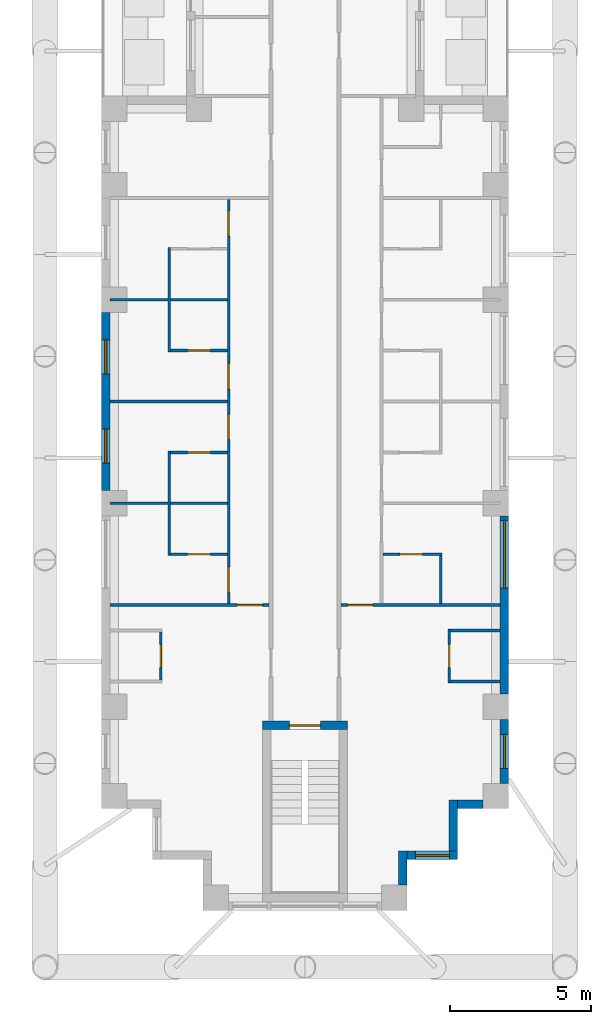
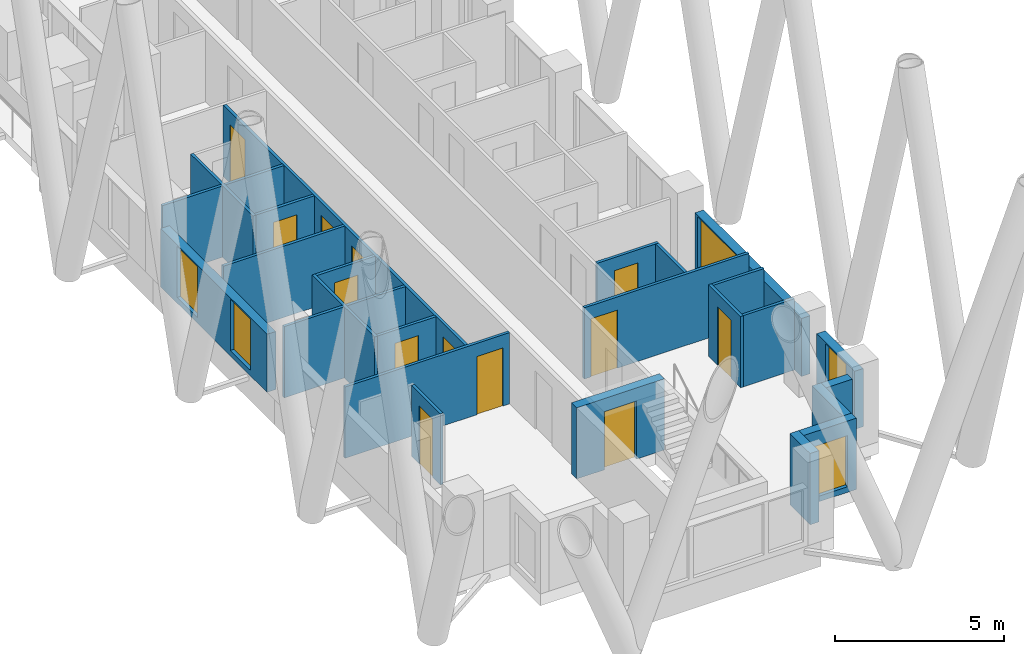
# One storey, part 4 of 16: 25 walls, 13 doors, 5 windows, 18 openings.
"""IFC4 building model written with IfcOpenShell, lengths in metres."""

from ifc_helpers import new_model, si_unit, direction, frame, frame_2d, origin, place, context, subcontext, project, spatial, rectangle, extrude, material, layer, layer_set, type_object, element, fill, save


model = new_model("IFC4")

# Units and contexts
model_context = context("Model", 3, precision=1e-05, world=origin(), true_north=direction((0.0, 1.0)))
body_context = subcontext(model_context, "Body", "Model", "MODEL_VIEW")
ifc_project = project(units=[si_unit("LENGTHUNIT", "METRE"), si_unit("AREAUNIT", "SQUARE_METRE"), si_unit("VOLUMEUNIT", "CUBIC_METRE"), si_unit("PLANEANGLEUNIT", "RADIAN"), si_unit("MASSUNIT", "GRAM", prefix="KILO")], contexts=[model_context])

# Site, building, storey
site_placement = place(None, origin())
site = spatial("IfcSite", under=ifc_project, at=site_placement, CompositionType="ELEMENT")
building_placement = place(site_placement, origin())
building = spatial("IfcBuilding", under=site, at=building_placement, Name="Fustian Cross Tower", CompositionType="ELEMENT")
storey_placement = place(building_placement, frame((0.0, 0.0, 20.699951171875)))
storey = spatial("IfcBuildingStorey", under=building, at=storey_placement, Name="L05", CompositionType="ELEMENT", Elevation=20.699951171875)

# Wall, opening, door
ifc_material_1 = material(Name="Plasterboard on steel stud", Category="steel")
ifc_layer_1 = layer(ifc_material_1, 0.10009765625)
ifc_layer_set_1 = layer_set([ifc_layer_1], Name="Plasterboard on steel stud")
wall_type_1 = type_object("IfcWallType", Name="PARTITION 100 STUD", PredefinedType="PARTITIONING", material=ifc_layer_set_1)
wall_1_placement = place(storey_placement, frame((-6.89990234375, -32.39990234375, 0.0), z_axis=(0.0, 0.0, 1.0), x_axis=(1.0, 0.0, 0.0)))
wall_1 = element("IfcWall", 1, at=wall_1_placement, inside=storey, type_object=wall_type_1, Name="Partition 19", PredefinedType="PARTITIONING", context=body_context, shape_type="SweptSolid", body=[
    extrude(rectangle(XDim=5.625, YDim=0.10009765625, at=frame_2d((2.8125, 0.0))), origin(), (0.0, 0.0, 1.0), 2.574951171875),
])
opening_1_placement = place(wall_1_placement, frame((4.5, 0.0, 0.0)))
opening_1 = element("IfcOpeningElement", 2, at=opening_1_placement, cuts=wall_1, Name="Opening D05073", PredefinedType="OPENING", context=body_context, shape_type="SweptSolid", body=[
    extrude(rectangle(XDim=0.89990234375, YDim=2.10009765625, at=frame_2d((0.449951171875, 1.050048828125))), frame((0.0, 0.06005859375, 0.0), z_axis=(0.0, -1.0, 0.0), x_axis=(1.0, 0.0, 0.0)), (0.0, 0.0, 1.0), 0.1201171875),
])
ifc_material_2 = material(Name="Painted timber", Category="wood")
door_type_1 = type_object("IfcDoorType", Name="SWING DOOR 900", OperationType="SINGLE_SWING_LEFT", PredefinedType="DOOR", material=ifc_material_2)
door_1_placement = place(opening_1_placement, origin())
door_1 = element("IfcDoor", 3, at=door_1_placement, inside=storey, type_object=door_type_1, Name="Door D05073", OperationType="SINGLE_SWING_LEFT", OverallHeight=2.10009765625, OverallWidth=0.89990234375, PredefinedType="DOOR", context=body_context, shape_type="SweptSolid", body=[
    extrude(rectangle(XDim=0.89990234375, YDim=2.10009765625, at=frame_2d((0.449951171875, 1.050048828125))), frame((0.0, 0.02490234375, 0.0), z_axis=(0.0, -1.0, 0.0), x_axis=(1.0, 0.0, 0.0)), (0.0, 0.0, 1.0), 0.050048828125),
])
fill(opening_1, door_1)

# Walls
for number, where, z_axis, x_axis, name in (
    (4, (-6.89990234375, -28.800048828125, 0.0), (0.0, 0.0, 1.0), (1.0, 0.0, 0.0), "Partition 20"),
    (5, (-6.89990234375, -25.199951171875, 0.0), (0.0, 0.0, 1.0), (1.0, 0.0, 0.0), "Partition 21"),
    (6, (-6.89990234375, -21.60009765625, 0.0), (0.0, 0.0, 1.0), (1.0, 0.0, 0.0), "Partition 22"),
):
    element("IfcWall", number, at=place(storey_placement, frame(where, z_axis=z_axis, x_axis=x_axis)), inside=storey, type_object=wall_type_1, Name=name, PredefinedType="PARTITIONING", context=body_context, shape_type="SweptSolid", body=[
        extrude(rectangle(XDim=4.14990234375, YDim=0.10009765625, at=frame_2d((2.074951171875, 0.0))), origin(), (0.0, 0.0, 1.0), 2.574951171875),
    ])

# Wall, opening, door
wall_2_placement = place(storey_placement, frame((-5.10009765625, -35.050048828125, 0.0), z_axis=(0.0, 0.0, 1.0), x_axis=(0.0, 1.0, 0.0)))
wall_2 = element("IfcWall", 7, at=wall_2_placement, inside=storey, type_object=wall_type_1, Name="Partition 31", PredefinedType="PARTITIONING", context=body_context, shape_type="SweptSolid", body=[
    extrude(rectangle(XDim=1.699951171875, YDim=0.10009765625, at=frame_2d((0.85009765625, 0.0))), origin(), (0.0, 0.0, 1.0), 2.574951171875),
])
opening_2_placement = place(wall_2_placement, frame((0.449951171875, 0.0, 0.0)))
opening_2 = element("IfcOpeningElement", 8, at=opening_2_placement, cuts=wall_2, Name="Opening D05067", PredefinedType="OPENING", context=body_context, shape_type="SweptSolid", body=[
    extrude(rectangle(XDim=0.800048828125, YDim=2.10009765625, at=frame_2d((0.39990234375, 1.050048828125))), frame((0.0, 0.06005859375, 0.0), z_axis=(0.0, -1.0, 0.0), x_axis=(1.0, 0.0, 0.0)), (0.0, 0.0, 1.0), 0.1201171875),
])
ifc_material_3 = material(Name="Painted timber", Category="wood")
door_type_2 = type_object("IfcDoorType", Name="SWING DOOR 800", OperationType="SINGLE_SWING_LEFT", PredefinedType="DOOR", material=ifc_material_3)
door_2_placement = place(opening_2_placement, origin())
door_2 = element("IfcDoor", 9, at=door_2_placement, inside=storey, type_object=door_type_2, Name="Door D05067", OperationType="SINGLE_SWING_RIGHT", OverallHeight=2.10009765625, OverallWidth=0.800048828125, PredefinedType="DOOR", context=body_context, shape_type="SweptSolid", body=[
    extrude(rectangle(XDim=0.800048828125, YDim=2.10009765625, at=frame_2d((0.39990234375, 1.050048828125))), frame((0.0, 0.02490234375, 0.0), z_axis=(0.0, -1.0, 0.0), x_axis=(1.0, 0.0, 0.0)), (0.0, 0.0, 1.0), 0.050048828125),
])
fill(opening_2, door_2)

# Wall
wall_3_placement = place(storey_placement, frame((-4.800048828125, -30.64990234375, 0.0), z_axis=(0.0, 0.0, 1.0), x_axis=(0.0, 1.0, 0.0)))
element("IfcWall", 10, at=wall_3_placement, inside=storey, type_object=wall_type_1, Name="Partition 33", PredefinedType="PARTITIONING", context=body_context, shape_type="SweptSolid", body=[
    extrude(rectangle(XDim=3.699951171875, YDim=0.10009765625, at=frame_2d((1.85009765625, 0.0))), origin(), (0.0, 0.0, 1.0), 2.574951171875),
])

# Wall, opening, door
wall_4_placement = place(storey_placement, frame((-4.75, -30.60009765625, 0.0), z_axis=(0.0, 0.0, 1.0), x_axis=(1.0, 0.0, 0.0)))
wall_4 = element("IfcWall", 11, at=wall_4_placement, inside=storey, type_object=wall_type_1, Name="Partition 34", PredefinedType="PARTITIONING", context=body_context, shape_type="SweptSolid", body=[
    extrude(rectangle(XDim=2.0, YDim=0.10009765625, at=frame_2d((1.0, 0.0))), origin(), (0.0, 0.0, 1.0), 2.574951171875),
])
opening_3_placement = place(wall_4_placement, frame((0.60009765625, 0.0, 0.0)))
opening_3 = element("IfcOpeningElement", 12, at=opening_3_placement, cuts=wall_4, Name="Opening D05077", PredefinedType="OPENING", context=body_context, shape_type="SweptSolid", body=[
    extrude(rectangle(XDim=0.800048828125, YDim=2.10009765625, at=frame_2d((0.39990234375, 1.050048828125))), frame((0.0, 0.06005859375, 0.0), z_axis=(0.0, -1.0, 0.0), x_axis=(1.0, 0.0, 0.0)), (0.0, 0.0, 1.0), 0.1201171875),
])
door_3_placement = place(opening_3_placement, origin())
door_3 = element("IfcDoor", 13, at=door_3_placement, inside=storey, type_object=door_type_2, Name="Door D05077", OperationType="SINGLE_SWING_LEFT", OverallHeight=2.10009765625, OverallWidth=0.800048828125, PredefinedType="DOOR", context=body_context, shape_type="SweptSolid", body=[
    extrude(rectangle(XDim=0.800048828125, YDim=2.10009765625, at=frame_2d((0.39990234375, 1.050048828125))), frame((0.0, 0.02490234375, 0.0), z_axis=(0.0, -1.0, 0.0), x_axis=(1.0, 0.0, 0.0)), (0.0, 0.0, 1.0), 0.050048828125),
])
fill(opening_3, door_3)

wall_5_placement = place(storey_placement, frame((-4.75, -27.0, 0.0), z_axis=(0.0, 0.0, 1.0), x_axis=(1.0, 0.0, 0.0)))
wall_5 = element("IfcWall", 14, at=wall_5_placement, inside=storey, type_object=wall_type_1, Name="Partition 35", PredefinedType="PARTITIONING", context=body_context, shape_type="SweptSolid", body=[
    extrude(rectangle(XDim=2.0, YDim=0.10009765625, at=frame_2d((1.0, 0.0))), origin(), (0.0, 0.0, 1.0), 2.574951171875),
])
opening_4_placement = place(wall_5_placement, frame((0.60009765625, 0.0, 0.0)))
opening_4 = element("IfcOpeningElement", 15, at=opening_4_placement, cuts=wall_5, Name="Opening D05076", PredefinedType="OPENING", context=body_context, shape_type="SweptSolid", body=[
    extrude(rectangle(XDim=0.800048828125, YDim=2.10009765625, at=frame_2d((0.39990234375, 1.050048828125))), frame((0.0, 0.06005859375, 0.0), z_axis=(0.0, -1.0, 0.0), x_axis=(1.0, 0.0, 0.0)), (0.0, 0.0, 1.0), 0.1201171875),
])
door_4_placement = place(opening_4_placement, frame((0.800048828125, 0.0, 0.0), z_axis=(0.0, 0.0, 1.0), x_axis=(-1.0, 0.0, 0.0)))
door_4 = element("IfcDoor", 16, at=door_4_placement, inside=storey, type_object=door_type_2, Name="Door D05076", OperationType="SINGLE_SWING_RIGHT", OverallHeight=2.10009765625, OverallWidth=0.800048828125, PredefinedType="DOOR", context=body_context, shape_type="SweptSolid", body=[
    extrude(rectangle(XDim=0.800048828125, YDim=2.10009765625, at=frame_2d((0.39990234375, 1.050048828125))), frame((0.0, 0.02490234375, 0.0), z_axis=(0.0, -1.0, 0.0), x_axis=(1.0, 0.0, 0.0)), (0.0, 0.0, 1.0), 0.050048828125),
])
fill(opening_4, door_4)

# Wall
wall_6_placement = place(storey_placement, frame((-4.800048828125, -23.449951171875, 0.0), z_axis=(0.0, 0.0, 1.0), x_axis=(0.0, 1.0, 0.0)))
element("IfcWall", 17, at=wall_6_placement, inside=storey, type_object=wall_type_1, Name="Partition 36", PredefinedType="PARTITIONING", context=body_context, shape_type="SweptSolid", body=[
    extrude(rectangle(XDim=3.699951171875, YDim=0.10009765625, at=frame_2d((1.85009765625, 0.0))), origin(), (0.0, 0.0, 1.0), 2.574951171875),
])

# Wall, opening, door
wall_7_placement = place(storey_placement, frame((-4.75, -23.39990234375, 0.0), z_axis=(0.0, 0.0, 1.0), x_axis=(1.0, 0.0, 0.0)))
wall_7 = element("IfcWall", 18, at=wall_7_placement, inside=storey, type_object=wall_type_1, Name="Partition 37", PredefinedType="PARTITIONING", context=body_context, shape_type="SweptSolid", body=[
    extrude(rectangle(XDim=2.0, YDim=0.10009765625, at=frame_2d((1.0, 0.0))), origin(), (0.0, 0.0, 1.0), 2.574951171875),
])
opening_5_placement = place(wall_7_placement, frame((0.60009765625, 0.0, 0.0)))
opening_5 = element("IfcOpeningElement", 19, at=opening_5_placement, cuts=wall_7, Name="Opening D05075", PredefinedType="OPENING", context=body_context, shape_type="SweptSolid", body=[
    extrude(rectangle(XDim=0.800048828125, YDim=2.10009765625, at=frame_2d((0.39990234375, 1.050048828125))), frame((0.0, 0.06005859375, 0.0), z_axis=(0.0, -1.0, 0.0), x_axis=(1.0, 0.0, 0.0)), (0.0, 0.0, 1.0), 0.1201171875),
])
door_5_placement = place(opening_5_placement, origin())
door_5 = element("IfcDoor", 20, at=door_5_placement, inside=storey, type_object=door_type_2, Name="Door D05075", OperationType="SINGLE_SWING_LEFT", OverallHeight=2.10009765625, OverallWidth=0.800048828125, PredefinedType="DOOR", context=body_context, shape_type="SweptSolid", body=[
    extrude(rectangle(XDim=0.800048828125, YDim=2.10009765625, at=frame_2d((0.39990234375, 1.050048828125))), frame((0.0, 0.02490234375, 0.0), z_axis=(0.0, -1.0, 0.0), x_axis=(1.0, 0.0, 0.0)), (0.0, 0.0, 1.0), 0.050048828125),
])
fill(opening_5, door_5)

# Wall, openings, doors
wall_8_placement = place(storey_placement, frame((-2.699951171875, -32.35009765625, 0.0), z_axis=(0.0, 0.0, 1.0), x_axis=(0.0, 1.0, 0.0)))
wall_8 = element("IfcWall", 21, at=wall_8_placement, inside=storey, type_object=wall_type_1, Name="Partition 49", PredefinedType="PARTITIONING", context=body_context, shape_type="SweptSolid", body=[
    extrude(rectangle(XDim=14.300048828125, YDim=0.10009765625, at=frame_2d((7.14990234375, 0.0))), origin(), (0.0, 0.0, 1.0), 2.574951171875),
])
opening_6_placement = place(wall_8_placement, frame((0.400146484375, 0.0, 0.0)))
opening_6 = element("IfcOpeningElement", 22, at=opening_6_placement, cuts=wall_8, Name="Opening D05069", PredefinedType="OPENING", context=body_context, shape_type="SweptSolid", body=[
    extrude(rectangle(XDim=0.89990234375, YDim=2.10009765625, at=frame_2d((0.449951171875, 1.050048828125))), frame((0.0, 0.06005859375, 0.0), z_axis=(0.0, -1.0, 0.0), x_axis=(1.0, 0.0, 0.0)), (0.0, 0.0, 1.0), 0.1201171875),
])
opening_7_placement = place(wall_8_placement, frame((5.800048828125, 0.0, 0.0)))
opening_7 = element("IfcOpeningElement", 23, at=opening_7_placement, cuts=wall_8, Name="Opening D05070", PredefinedType="OPENING", context=body_context, shape_type="SweptSolid", body=[
    extrude(rectangle(XDim=0.89990234375, YDim=2.10009765625, at=frame_2d((0.449951171875, 1.050048828125))), frame((0.0, 0.06005859375, 0.0), z_axis=(0.0, -1.0, 0.0), x_axis=(1.0, 0.0, 0.0)), (0.0, 0.0, 1.0), 0.1201171875),
])
opening_8_placement = place(wall_8_placement, frame((7.60009765625, 0.0, 0.0)))
opening_8 = element("IfcOpeningElement", 24, at=opening_8_placement, cuts=wall_8, Name="Opening D05071", PredefinedType="OPENING", context=body_context, shape_type="SweptSolid", body=[
    extrude(rectangle(XDim=0.89990234375, YDim=2.10009765625, at=frame_2d((0.449951171875, 1.050048828125))), frame((0.0, 0.06005859375, 0.0), z_axis=(0.0, -1.0, 0.0), x_axis=(1.0, 0.0, 0.0)), (0.0, 0.0, 1.0), 0.1201171875),
])
opening_9_placement = place(wall_8_placement, frame((13.0, 0.0, 0.0)))
opening_9 = element("IfcOpeningElement", 25, at=opening_9_placement, cuts=wall_8, Name="Opening D05072", PredefinedType="OPENING", context=body_context, shape_type="SweptSolid", body=[
    extrude(rectangle(XDim=0.89990234375, YDim=2.10009765625, at=frame_2d((0.449951171875, 1.050048828125))), frame((0.0, 0.06005859375, 0.0), z_axis=(0.0, -1.0, 0.0), x_axis=(1.0, 0.0, 0.0)), (0.0, 0.0, 1.0), 0.1201171875),
])
door_6_placement = place(opening_6_placement, origin())
door_6 = element("IfcDoor", 26, at=door_6_placement, inside=storey, type_object=door_type_1, Name="Door D05069", OperationType="SINGLE_SWING_LEFT", OverallHeight=2.10009765625, OverallWidth=0.89990234375, PredefinedType="DOOR", context=body_context, shape_type="SweptSolid", body=[
    extrude(rectangle(XDim=0.89990234375, YDim=2.10009765625, at=frame_2d((0.449951171875, 1.050048828125))), frame((0.0, 0.02490234375, 0.0), z_axis=(0.0, -1.0, 0.0), x_axis=(1.0, 0.0, 0.0)), (0.0, 0.0, 1.0), 0.050048828125),
])
fill(opening_6, door_6)
door_7_placement = place(opening_7_placement, origin())
door_7 = element("IfcDoor", 27, at=door_7_placement, inside=storey, type_object=door_type_1, Name="Door D05070", OperationType="SINGLE_SWING_LEFT", OverallHeight=2.10009765625, OverallWidth=0.89990234375, PredefinedType="DOOR", context=body_context, shape_type="SweptSolid", body=[
    extrude(rectangle(XDim=0.89990234375, YDim=2.10009765625, at=frame_2d((0.449951171875, 1.050048828125))), frame((0.0, 0.02490234375, 0.0), z_axis=(0.0, -1.0, 0.0), x_axis=(1.0, 0.0, 0.0)), (0.0, 0.0, 1.0), 0.050048828125),
])
fill(opening_7, door_7)
door_8_placement = place(opening_8_placement, origin())
door_8 = element("IfcDoor", 28, at=door_8_placement, inside=storey, type_object=door_type_1, Name="Door D05071", OperationType="SINGLE_SWING_LEFT", OverallHeight=2.10009765625, OverallWidth=0.89990234375, PredefinedType="DOOR", context=body_context, shape_type="SweptSolid", body=[
    extrude(rectangle(XDim=0.89990234375, YDim=2.10009765625, at=frame_2d((0.449951171875, 1.050048828125))), frame((0.0, 0.02490234375, 0.0), z_axis=(0.0, -1.0, 0.0), x_axis=(1.0, 0.0, 0.0)), (0.0, 0.0, 1.0), 0.050048828125),
])
fill(opening_8, door_8)
door_9_placement = place(opening_9_placement, origin())
door_9 = element("IfcDoor", 29, at=door_9_placement, inside=storey, type_object=door_type_1, Name="Door D05072", OperationType="SINGLE_SWING_LEFT", OverallHeight=2.10009765625, OverallWidth=0.89990234375, PredefinedType="DOOR", context=body_context, shape_type="SweptSolid", body=[
    extrude(rectangle(XDim=0.89990234375, YDim=2.10009765625, at=frame_2d((0.449951171875, 1.050048828125))), frame((0.0, 0.02490234375, 0.0), z_axis=(0.0, -1.0, 0.0), x_axis=(1.0, 0.0, 0.0)), (0.0, 0.0, 1.0), 0.050048828125),
])
fill(opening_9, door_9)

# Wall, opening, door
wall_9_placement = place(storey_placement, frame((1.27490234375, -32.39990234375, 0.0), z_axis=(0.0, 0.0, 1.0), x_axis=(1.0, 0.0, 0.0)))
wall_9 = element("IfcWall", 30, at=wall_9_placement, inside=storey, type_object=wall_type_1, Name="Partition 54", PredefinedType="PARTITIONING", context=body_context, shape_type="SweptSolid", body=[
    extrude(rectangle(XDim=5.625, YDim=0.10009765625, at=frame_2d((2.8125, 0.0))), origin(), (0.0, 0.0, 1.0), 2.574951171875),
])
opening_10_placement = place(wall_9_placement, frame((0.22509765625, 0.0, 0.0)))
opening_10 = element("IfcOpeningElement", 31, at=opening_10_placement, cuts=wall_9, Name="Opening D05053", PredefinedType="OPENING", context=body_context, shape_type="SweptSolid", body=[
    extrude(rectangle(XDim=0.89990234375, YDim=2.10009765625, at=frame_2d((0.449951171875, 1.050048828125))), frame((0.0, 0.06005859375, 0.0), z_axis=(0.0, -1.0, 0.0), x_axis=(1.0, 0.0, 0.0)), (0.0, 0.0, 1.0), 0.1201171875),
])
door_10_placement = place(opening_10_placement, origin())
door_10 = element("IfcDoor", 32, at=door_10_placement, inside=storey, type_object=door_type_1, Name="Door D05053", OperationType="SINGLE_SWING_LEFT", OverallHeight=2.10009765625, OverallWidth=0.89990234375, PredefinedType="DOOR", context=body_context, shape_type="SweptSolid", body=[
    extrude(rectangle(XDim=0.89990234375, YDim=2.10009765625, at=frame_2d((0.449951171875, 1.050048828125))), frame((0.0, 0.02490234375, 0.0), z_axis=(0.0, -1.0, 0.0), x_axis=(1.0, 0.0, 0.0)), (0.0, 0.0, 1.0), 0.050048828125),
])
fill(opening_10, door_10)

wall_10_placement = place(storey_placement, frame((2.75, -30.60009765625, 0.0), z_axis=(0.0, 0.0, 1.0), x_axis=(1.0, 0.0, 0.0)))
wall_10 = element("IfcWall", 33, at=wall_10_placement, inside=storey, type_object=wall_type_1, Name="Partition 65", PredefinedType="PARTITIONING", context=body_context, shape_type="SweptSolid", body=[
    extrude(rectangle(XDim=2.10009765625, YDim=0.10009765625, at=frame_2d((1.050048828125, 0.0))), origin(), (0.0, 0.0, 1.0), 2.574951171875),
])
opening_11_placement = place(wall_10_placement, frame((0.60009765625, 0.0, 0.0)))
opening_11 = element("IfcOpeningElement", 34, at=opening_11_placement, cuts=wall_10, Name="Opening D05063", PredefinedType="OPENING", context=body_context, shape_type="SweptSolid", body=[
    extrude(rectangle(XDim=0.800048828125, YDim=2.10009765625, at=frame_2d((0.39990234375, 1.050048828125))), frame((0.0, 0.06005859375, 0.0), z_axis=(0.0, -1.0, 0.0), x_axis=(1.0, 0.0, 0.0)), (0.0, 0.0, 1.0), 0.1201171875),
])
door_11_placement = place(opening_11_placement, frame((0.800048828125, 0.0, 0.0), z_axis=(0.0, 0.0, 1.0), x_axis=(-1.0, 0.0, 0.0)))
door_11 = element("IfcDoor", 35, at=door_11_placement, inside=storey, type_object=door_type_2, Name="Door D05063", OperationType="SINGLE_SWING_RIGHT", OverallHeight=2.10009765625, OverallWidth=0.800048828125, PredefinedType="DOOR", context=body_context, shape_type="SweptSolid", body=[
    extrude(rectangle(XDim=0.800048828125, YDim=2.10009765625, at=frame_2d((0.39990234375, 1.050048828125))), frame((0.0, 0.02490234375, 0.0), z_axis=(0.0, -1.0, 0.0), x_axis=(1.0, 0.0, 0.0)), (0.0, 0.0, 1.0), 0.050048828125),
])
fill(opening_11, door_11)

# Wall
wall_11_placement = place(storey_placement, frame((4.800048828125, -32.35009765625, 0.0), z_axis=(0.0, 0.0, 1.0), x_axis=(0.0, 1.0, 0.0)))
element("IfcWall", 36, at=wall_11_placement, inside=storey, type_object=wall_type_1, Name="Partition 80", PredefinedType="PARTITIONING", context=body_context, shape_type="SweptSolid", body=[
    extrude(rectangle(XDim=1.7001953125, YDim=0.10009765625, at=frame_2d((0.85009765625, 0.0))), origin(), (0.0, 0.0, 1.0), 2.574951171875),
])

# Wall, opening, door
wall_12_placement = place(storey_placement, frame((5.10009765625, -35.14990234375, 0.0), z_axis=(0.0, 0.0, 1.0), x_axis=(0.0, 1.0, 0.0)))
wall_12 = element("IfcWall", 37, at=wall_12_placement, inside=storey, type_object=wall_type_1, Name="Partition 85", PredefinedType="PARTITIONING", context=body_context, shape_type="SweptSolid", body=[
    extrude(rectangle(XDim=1.89990234375, YDim=0.10009765625, at=frame_2d((0.949951171875, 0.0))), origin(), (0.0, 0.0, 1.0), 2.574951171875),
])
opening_12_placement = place(wall_12_placement, frame((0.550048828125, 0.0, 0.0)))
opening_12 = element("IfcOpeningElement", 38, at=opening_12_placement, cuts=wall_12, Name="Opening D05051", PredefinedType="OPENING", context=body_context, shape_type="SweptSolid", body=[
    extrude(rectangle(XDim=0.800048828125, YDim=2.10009765625, at=frame_2d((0.39990234375, 1.050048828125))), frame((0.0, 0.06005859375, 0.0), z_axis=(0.0, -1.0, 0.0), x_axis=(1.0, 0.0, 0.0)), (0.0, 0.0, 1.0), 0.1201171875),
])
door_12_placement = place(opening_12_placement, frame((0.800048828125, 0.0, 0.0), z_axis=(0.0, 0.0, 1.0), x_axis=(-1.0, 0.0, 0.0)))
door_12 = element("IfcDoor", 39, at=door_12_placement, inside=storey, type_object=door_type_2, Name="Door D05051", OperationType="SINGLE_SWING_LEFT", OverallHeight=2.10009765625, OverallWidth=0.800048828125, PredefinedType="DOOR", context=body_context, shape_type="SweptSolid", body=[
    extrude(rectangle(XDim=0.800048828125, YDim=2.10009765625, at=frame_2d((0.39990234375, 1.050048828125))), frame((0.0, 0.02490234375, 0.0), z_axis=(0.0, -1.0, 0.0), x_axis=(1.0, 0.0, 0.0)), (0.0, 0.0, 1.0), 0.050048828125),
])
fill(opening_12, door_12)

# Walls
for number, where, z_axis, x_axis, name in (
    (40, (5.14990234375, -35.10009765625, 0.0), (0.0, 0.0, 1.0), (1.0, 0.0, 0.0), "Partition 86"),
    (41, (5.14990234375, -33.300048828125, 0.0), (0.0, 0.0, 1.0), (1.0, 0.0, 0.0), "Partition 87"),
):
    element("IfcWall", number, at=place(storey_placement, frame(where, z_axis=z_axis, x_axis=x_axis)), inside=storey, type_object=wall_type_1, Name=name, PredefinedType="PARTITIONING", context=body_context, shape_type="SweptSolid", body=[
        extrude(rectangle(XDim=1.75, YDim=0.10009765625, at=frame_2d((0.875, 0.0))), origin(), (0.0, 0.0, 1.0), 2.574951171875),
    ])

# Wall, opening, door
ifc_material_4 = material(Name="Concrete C50/60", Category="concrete")
ifc_layer_2 = layer(ifc_material_4, 0.300048828125)
ifc_layer_set_2 = layer_set([ifc_layer_2], Name="Concrete C50/60")
wall_type_2 = type_object("IfcWallType", Name="STAIR ENCLOSURE WALL 300 C50/60", PredefinedType="SHEAR", material=ifc_layer_set_2)
wall_13_placement = place(storey_placement, frame((-1.5, -36.64990234375, 0.0), z_axis=(0.0, 0.0, 1.0), x_axis=(1.0, 0.0, 0.0)))
wall_13 = element("IfcWall", 42, at=wall_13_placement, inside=storey, type_object=wall_type_2, Name="Stair enclosure wall", PredefinedType="SHEAR", context=body_context, shape_type="SweptSolid", body=[
    extrude(rectangle(XDim=3.0, YDim=0.300048828125, at=frame_2d((1.5, 0.0))), origin(), (0.0, 0.0, 1.0), 2.574951171875),
])
opening_13_placement = place(wall_13_placement, frame((0.949951171875, 0.0, 0.0)))
opening_13 = element("IfcOpeningElement", 43, at=opening_13_placement, cuts=wall_13, Name="Opening CD-05-32", PredefinedType="OPENING", context=body_context, shape_type="SweptSolid", body=[
    extrude(rectangle(XDim=1.10009765625, YDim=2.10009765625, at=frame_2d((0.550048828125, 1.050048828125))), frame((0.0, 0.159912109375, 0.0), z_axis=(0.0, -1.0, 0.0), x_axis=(1.0, 0.0, 0.0)), (0.0, 0.0, 1.0), 0.320068359375),
])
ifc_material_5 = material(Name="Steel", Category="steel")
door_type_3 = type_object("IfcDoorType", Name="FIRE DOOR FD60S 1100X2100", OperationType="SINGLE_SWING_LEFT", PredefinedType="DOOR", material=ifc_material_5)
door_13_placement = place(opening_13_placement, frame((1.10009765625, 0.0, 0.0), z_axis=(0.0, 0.0, 1.0), x_axis=(-1.0, 0.0, 0.0)))
door_13 = element("IfcDoor", 44, at=door_13_placement, inside=storey, type_object=door_type_3, Name="Core door CD-05-32", OperationType="SINGLE_SWING_RIGHT", OverallHeight=2.10009765625, OverallWidth=1.10009765625, PredefinedType="DOOR", context=body_context, shape_type="SweptSolid", body=[
    extrude(rectangle(XDim=1.10009765625, YDim=2.10009765625, at=frame_2d((0.550048828125, 1.050048828125))), frame((0.0, 0.02490234375, 0.0), z_axis=(0.0, -1.0, 0.0), x_axis=(1.0, 0.0, 0.0)), (0.0, 0.0, 1.0), 0.050048828125),
])
fill(opening_13, door_13)

# Wall, openings, windows
ifc_material_6 = material(Name="Dark aluminium cladding on insulated backing wall", Category="aluminium")
ifc_layer_3 = layer(ifc_material_6, 0.300048828125)
ifc_layer_set_3 = layer_set([ifc_layer_3], Name="Dark aluminium cladding on insulated backing wall")
wall_type_3 = type_object("IfcWallType", Name="XW1 EXTERNAL WALL 300", PredefinedType="SOLIDWALL", material=ifc_layer_set_3)
wall_14_placement = place(storey_placement, frame((-7.050048828125, -22.050048828125, 0.0), z_axis=(0.0, 0.0, 1.0), x_axis=(0.0, -1.0, 0.0)))
wall_14 = element("IfcWall", 45, at=wall_14_placement, inside=storey, type_object=wall_type_3, Name="External wall", PredefinedType="SOLIDWALL", context=body_context, shape_type="SweptSolid", body=[
    extrude(rectangle(XDim=6.300048828125, YDim=0.300048828125, at=frame_2d((3.14990234375, 0.0))), origin(), (0.0, 0.0, 1.0), 2.10009765625),
])
opening_14_placement = place(wall_14_placement, frame((0.97509765625, 0.0, 0.199951171875)))
opening_14 = element("IfcOpeningElement", 46, at=opening_14_placement, cuts=wall_14, Name="Opening WN3", PredefinedType="OPENING", context=body_context, shape_type="SweptSolid", body=[
    extrude(rectangle(XDim=1.199951171875, YDim=1.85009765625, at=frame_2d((0.60009765625, 0.925048828125))), frame((0.0, 0.159912109375, 0.0), z_axis=(0.0, -1.0, 0.0), x_axis=(1.0, 0.0, 0.0)), (0.0, 0.0, 1.0), 0.320068359375),
])
opening_15_placement = place(wall_14_placement, frame((4.125, 0.0, 0.199951171875)))
opening_15 = element("IfcOpeningElement", 47, at=opening_15_placement, cuts=wall_14, Name="Opening WN3", PredefinedType="OPENING", context=body_context, shape_type="SweptSolid", body=[
    extrude(rectangle(XDim=1.199951171875, YDim=1.85009765625, at=frame_2d((0.60009765625, 0.925048828125))), frame((0.0, 0.159912109375, 0.0), z_axis=(0.0, -1.0, 0.0), x_axis=(1.0, 0.0, 0.0)), (0.0, 0.0, 1.0), 0.320068359375),
])
ifc_material_7 = material(Name="Dark anodised aluminium and double glazing", Category="aluminium")
window_type_1 = type_object("IfcWindowType", Name="WN3 WINDOW 1200X1850", PartitioningType="SINGLE_PANEL", PredefinedType="WINDOW", material=ifc_material_7)
window_1_placement = place(opening_14_placement, origin())
window_1 = element("IfcWindow", 48, at=window_1_placement, inside=storey, type_object=window_type_1, Name="Window", OverallHeight=1.85009765625, OverallWidth=1.199951171875, PartitioningType="SINGLE_PANEL", PredefinedType="WINDOW", context=body_context, shape_type="SweptSolid", body=[
    extrude(rectangle(XDim=1.199951171875, YDim=1.85009765625, at=frame_2d((0.60009765625, 0.925048828125))), frame((0.0, 0.030029296875, 0.0), z_axis=(0.0, -1.0, 0.0), x_axis=(1.0, 0.0, 0.0)), (0.0, 0.0, 1.0), 0.06005859375),
])
fill(opening_14, window_1)
window_2_placement = place(opening_15_placement, origin())
window_2 = element("IfcWindow", 49, at=window_2_placement, inside=storey, type_object=window_type_1, Name="Window", OverallHeight=1.85009765625, OverallWidth=1.199951171875, PartitioningType="SINGLE_PANEL", PredefinedType="WINDOW", context=body_context, shape_type="SweptSolid", body=[
    extrude(rectangle(XDim=1.199951171875, YDim=1.85009765625, at=frame_2d((0.60009765625, 0.925048828125))), frame((0.0, 0.030029296875, 0.0), z_axis=(0.0, -1.0, 0.0), x_axis=(1.0, 0.0, 0.0)), (0.0, 0.0, 1.0), 0.06005859375),
])
fill(opening_15, window_2)

# Wall
wall_15_placement = place(storey_placement, frame((3.449951171875, -42.300048828125, 0.0), z_axis=(0.0, 0.0, 1.0), x_axis=(0.0, 1.0, 0.0)))
element("IfcWall", 50, at=wall_15_placement, inside=storey, type_object=wall_type_3, Name="External wall", PredefinedType="SOLIDWALL", context=body_context, shape_type="SweptSolid", body=[
    extrude(rectangle(XDim=1.199951171875, YDim=0.300048828125, at=frame_2d((0.60009765625, 0.0))), origin(), (0.0, 0.0, 1.0), 2.574951171875),
])

# Wall, opening, window
wall_16_placement = place(storey_placement, frame((3.60009765625, -41.25, 0.0), z_axis=(0.0, 0.0, 1.0), x_axis=(1.0, 0.0, 0.0)))
wall_16 = element("IfcWall", 51, at=wall_16_placement, inside=storey, type_object=wall_type_3, Name="External wall", PredefinedType="SOLIDWALL", context=body_context, shape_type="SweptSolid", body=[
    extrude(rectangle(XDim=1.7998046875, YDim=0.300048828125, at=frame_2d((0.89990234375, 0.0))), origin(), (0.0, 0.0, 1.0), 2.574951171875),
])
opening_16_placement = place(wall_16_placement, frame((0.300048828125, 0.0, 0.199951171875)))
opening_16 = element("IfcOpeningElement", 52, at=opening_16_placement, cuts=wall_16, Name="Opening WN3", PredefinedType="OPENING", context=body_context, shape_type="SweptSolid", body=[
    extrude(rectangle(XDim=1.199951171875, YDim=1.85009765625, at=frame_2d((0.60009765625, 0.925048828125))), frame((0.0, 0.159912109375, 0.0), z_axis=(0.0, -1.0, 0.0), x_axis=(1.0, 0.0, 0.0)), (0.0, 0.0, 1.0), 0.320068359375),
])
window_3_placement = place(opening_16_placement, origin())
window_3 = element("IfcWindow", 53, at=window_3_placement, inside=storey, type_object=window_type_1, Name="Window", OverallHeight=1.85009765625, OverallWidth=1.199951171875, PartitioningType="SINGLE_PANEL", PredefinedType="WINDOW", context=body_context, shape_type="SweptSolid", body=[
    extrude(rectangle(XDim=1.199951171875, YDim=1.85009765625, at=frame_2d((0.60009765625, 0.925048828125))), frame((0.0, 0.030029296875, 0.0), z_axis=(0.0, -1.0, 0.0), x_axis=(1.0, 0.0, 0.0)), (0.0, 0.0, 1.0), 0.06005859375),
])
fill(opening_16, window_3)

# Walls
wall_17_placement = place(storey_placement, frame((5.25, -41.10009765625, 0.0), z_axis=(0.0, 0.0, 1.0), x_axis=(0.0, 1.0, 0.0)))
element("IfcWall", 54, at=wall_17_placement, inside=storey, type_object=wall_type_3, Name="External wall", PredefinedType="SOLIDWALL", context=body_context, shape_type="SweptSolid", body=[
    extrude(rectangle(XDim=1.800048828125, YDim=0.300048828125, at=frame_2d((0.89990234375, 0.0))), origin(), (0.0, 0.0, 1.0), 2.574951171875),
])
wall_18_placement = place(storey_placement, frame((5.39990234375, -39.449951171875, 0.0), z_axis=(0.0, 0.0, 1.0), x_axis=(1.0, 0.0, 0.0)))
element("IfcWall", 55, at=wall_18_placement, inside=storey, type_object=wall_type_3, Name="External wall", PredefinedType="SOLIDWALL", context=body_context, shape_type="SweptSolid", body=[
    extrude(rectangle(XDim=0.900146484375, YDim=0.300048828125, at=frame_2d((0.4501953125, 0.0))), origin(), (0.0, 0.0, 1.0), 2.574951171875),
])

# Wall, opening, window
wall_19_placement = place(storey_placement, frame((7.050048828125, -38.699951171875, 0.0), z_axis=(0.0, 0.0, 1.0), x_axis=(0.0, 1.0, 0.0)))
wall_19 = element("IfcWall", 56, at=wall_19_placement, inside=storey, type_object=wall_type_3, Name="External wall", PredefinedType="SOLIDWALL", context=body_context, shape_type="SweptSolid", body=[
    extrude(rectangle(XDim=2.25, YDim=0.300048828125, at=frame_2d((1.125, 0.0))), origin(), (0.0, 0.0, 1.0), 2.10009765625),
])
opening_17_placement = place(wall_19_placement, frame((0.52490234375, 0.0, 0.199951171875)))
opening_17 = element("IfcOpeningElement", 57, at=opening_17_placement, cuts=wall_19, Name="Opening WN3", PredefinedType="OPENING", context=body_context, shape_type="SweptSolid", body=[
    extrude(rectangle(XDim=1.199951171875, YDim=1.85009765625, at=frame_2d((0.60009765625, 0.925048828125))), frame((0.0, 0.159912109375, 0.0), z_axis=(0.0, -1.0, 0.0), x_axis=(1.0, 0.0, 0.0)), (0.0, 0.0, 1.0), 0.320068359375),
])
window_4_placement = place(opening_17_placement, origin())
window_4 = element("IfcWindow", 58, at=window_4_placement, inside=storey, type_object=window_type_1, Name="Window", OverallHeight=1.85009765625, OverallWidth=1.199951171875, PartitioningType="SINGLE_PANEL", PredefinedType="WINDOW", context=body_context, shape_type="SweptSolid", body=[
    extrude(rectangle(XDim=1.199951171875, YDim=1.85009765625, at=frame_2d((0.60009765625, 0.925048828125))), frame((0.0, 0.030029296875, 0.0), z_axis=(0.0, -1.0, 0.0), x_axis=(1.0, 0.0, 0.0)), (0.0, 0.0, 1.0), 0.06005859375),
])
fill(opening_17, window_4)

wall_20_placement = place(storey_placement, frame((7.050048828125, -35.550048828125, 0.0), z_axis=(0.0, 0.0, 1.0), x_axis=(0.0, 1.0, 0.0)))
wall_20 = element("IfcWall", 59, at=wall_20_placement, inside=storey, type_object=wall_type_3, Name="External wall", PredefinedType="SOLIDWALL", context=body_context, shape_type="SweptSolid", body=[
    extrude(rectangle(XDim=6.300048828125, YDim=0.300048828125, at=frame_2d((3.14990234375, 0.0))), origin(), (0.0, 0.0, 1.0), 2.10009765625),
])
opening_18_placement = place(wall_20_placement, frame((3.75, 0.0, 0.199951171875)))
opening_18 = element("IfcOpeningElement", 60, at=opening_18_placement, cuts=wall_20, Name="Opening WN1", PredefinedType="OPENING", context=body_context, shape_type="SweptSolid", body=[
    extrude(rectangle(XDim=2.39990234375, YDim=1.85009765625, at=frame_2d((1.199951171875, 0.925048828125))), frame((0.0, 0.159912109375, 0.0), z_axis=(0.0, -1.0, 0.0), x_axis=(1.0, 0.0, 0.0)), (0.0, 0.0, 1.0), 0.320068359375),
])
ifc_material_8 = material(Name="Dark anodised aluminium and double glazing", Category="aluminium")
window_type_2 = type_object("IfcWindowType", Name="WN1 WINDOW 2400X1850", PartitioningType="SINGLE_PANEL", PredefinedType="WINDOW", material=ifc_material_8)
window_5_placement = place(opening_18_placement, origin())
window_5 = element("IfcWindow", 61, at=window_5_placement, inside=storey, type_object=window_type_2, Name="Window", OverallHeight=1.85009765625, OverallWidth=2.39990234375, PartitioningType="SINGLE_PANEL", PredefinedType="WINDOW", context=body_context, shape_type="SweptSolid", body=[
    extrude(rectangle(XDim=2.39990234375, YDim=1.85009765625, at=frame_2d((1.199951171875, 0.925048828125))), frame((0.0, 0.030029296875, 0.0), z_axis=(0.0, -1.0, 0.0), x_axis=(1.0, 0.0, 0.0)), (0.0, 0.0, 1.0), 0.06005859375),
])
fill(opening_18, window_5)

save(model, "model.ifc")
